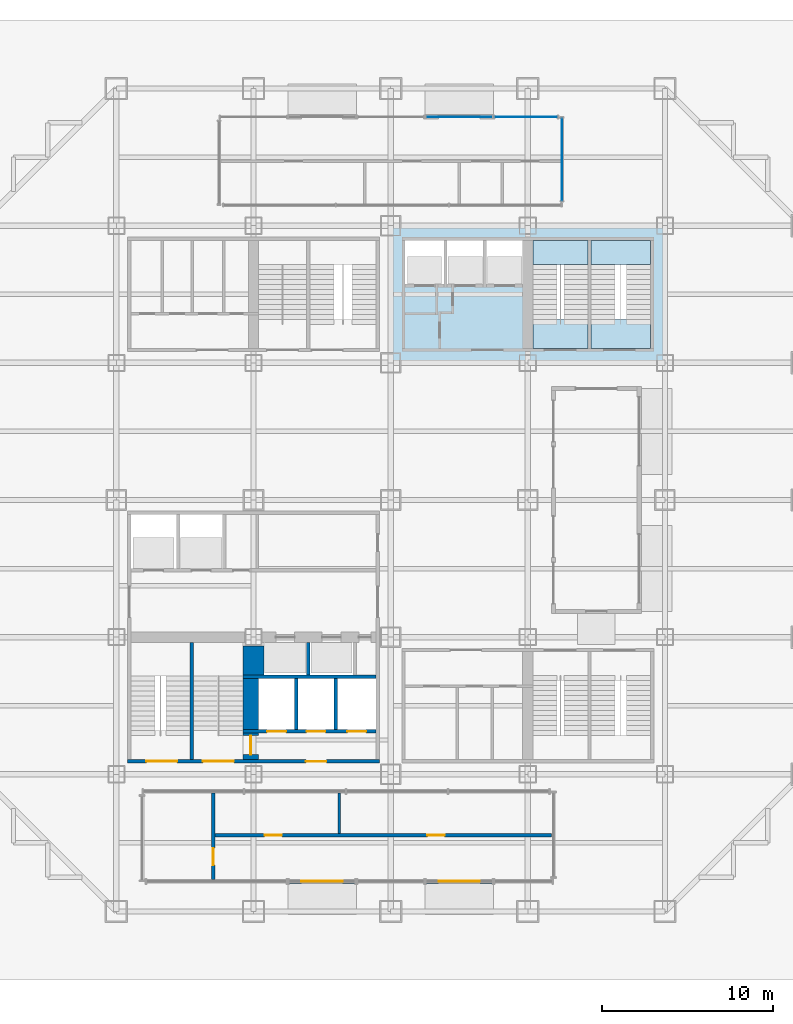
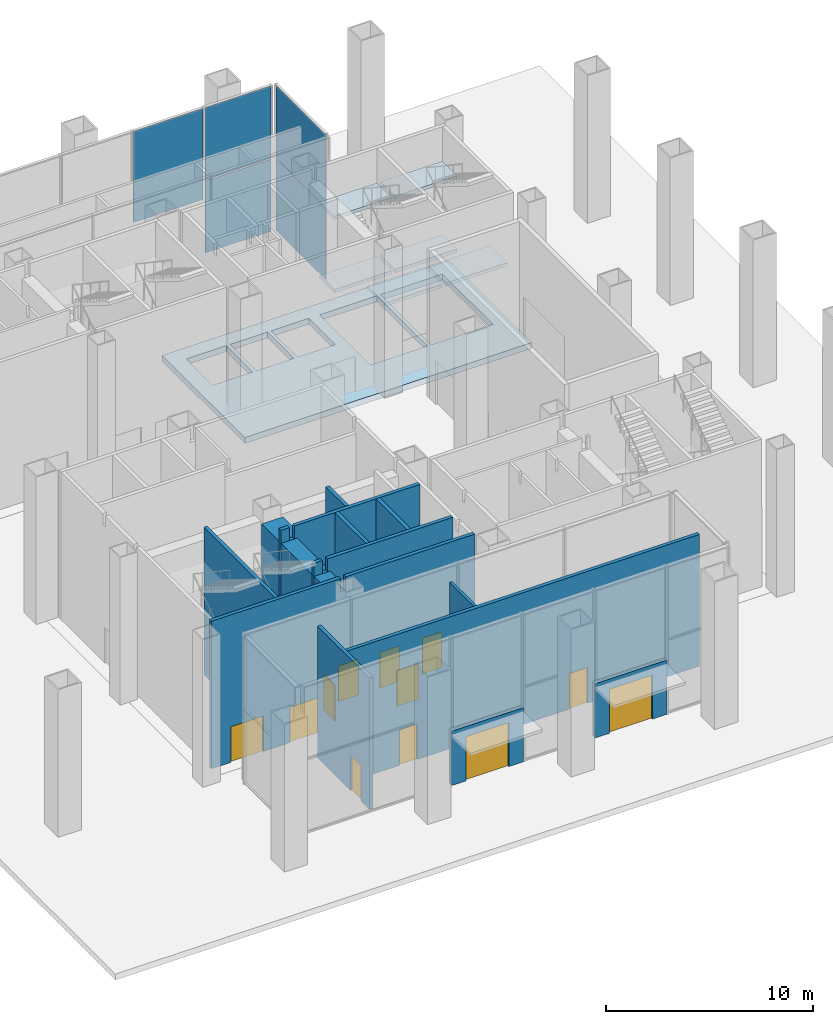
# One storey, part 7 of 14: 15 walls, 12 doors, 7 slabs, 5 plates, 12 openings, 5 elements without a shape of their own.
"""IFC4 building model written with IfcOpenShell, lengths in metres."""

from ifc_helpers import new_model, si_unit, direction, frame, frame_2d, origin, origin_2d, place, context, subcontext, project, spatial, polyline, rectangle, outline, extrude, material, layer, layer_set, type_object, element, fill, aggregate, save


model = new_model("IFC4")

# Units and contexts
model_context = context("Model", 3, precision=1e-05, world=origin(), true_north=direction((0.0, 1.0)))
body_context = subcontext(model_context, "Body", "Model", "MODEL_VIEW")
ifc_project = project(units=[si_unit("LENGTHUNIT", "METRE"), si_unit("AREAUNIT", "SQUARE_METRE"), si_unit("VOLUMEUNIT", "CUBIC_METRE"), si_unit("PLANEANGLEUNIT", "RADIAN"), si_unit("MASSUNIT", "GRAM", prefix="KILO")], contexts=[model_context])

# Site, building, storey
site_placement = place(None, origin())
site = spatial("IfcSite", under=ifc_project, at=site_placement, CompositionType="ELEMENT")
building_placement = place(site_placement, origin())
building = spatial("IfcBuilding", under=site, at=building_placement, Name="Immortelle Media Tower", CompositionType="ELEMENT")
storey_placement = place(building_placement, origin())
storey = spatial("IfcBuildingStorey", under=building, at=storey_placement, Name="G", CompositionType="ELEMENT", Elevation=0.0)

# Slab
ifc_material_1 = material(Name="Concrete C50/60", Category="concrete")
ifc_layer_1 = layer(ifc_material_1, 0.35009765625)
ifc_layer_set_1 = layer_set([ifc_layer_1], Name="Concrete C50/60")
slab_type_1 = type_object("IfcSlabType", Name="Core floor slab 350", PredefinedType="FLOOR", material=ifc_layer_set_1)
slab_1_placement = place(storey_placement, frame((0.0, 0.0, -0.35009765625)))
element("IfcSlab", 1, at=slab_1_placement, inside=storey, type_object=slab_type_1, Name="Core floor NE", PredefinedType="FLOOR", context=body_context, shape_type="SweptSolid", body=[
    extrude(outline(polyline([(24.0, 32.0), (40.0, 32.0), (40.0, 40.0), (24.0, 40.0), (24.0, 32.0)]), holes=[polyline([(24.85009765625, 36.60009765625), (27.10009765625, 36.60009765625), (27.10009765625, 39.14990234375), (24.85009765625, 39.14990234375), (24.85009765625, 36.60009765625)]), polyline([(27.300048828125, 36.60009765625), (29.39990234375, 36.60009765625), (29.39990234375, 39.14990234375), (27.300048828125, 39.14990234375), (27.300048828125, 36.60009765625)]), polyline([(29.60009765625, 36.60009765625), (31.699951171875, 36.60009765625), (31.699951171875, 39.14990234375), (29.60009765625, 39.14990234375), (29.60009765625, 36.60009765625)]), polyline([(32.300048828125, 34.27001953125), (35.5, 34.27001953125), (35.5, 39.14990234375), (32.300048828125, 39.14990234375), (32.300048828125, 34.27001953125)]), polyline([(35.699951171875, 34.27001953125), (39.14990234375, 34.27001953125), (39.14990234375, 39.14990234375), (35.699951171875, 39.14990234375), (35.699951171875, 34.27001953125)])]), origin(), (0.0, 0.0, 1.0), 0.35009765625),
])

# Curtain wall, plates
ifc_material_2 = material(Name="Aluminium curtain wall system", Category="aluminium")
curtain_wall_type = type_object("IfcCurtainWallType", Name="Shopfront glazing curtain wall", PredefinedType="NOTDEFINED", material=ifc_material_2)
curtain_wall_1_placement = place(storey_placement, origin())
curtain_wall_1 = element("IfcCurtainWall", 2, at=curtain_wall_1_placement, inside=storey, type_object=curtain_wall_type, Name="Shopfront G E 1", PredefinedType="NOTDEFINED")
ifc_material_3 = material(Name="Clear low-E double glazing", Category="glass")
ifc_layer_2 = layer(ifc_material_3, 0.031982421875)
ifc_layer_set_2 = layer_set([ifc_layer_2], Name="Clear low-E double glazing")
plate_type = type_object("IfcPlateType", Name="Low-E double glazed panel 32 mm", PredefinedType="CURTAIN_PANEL", material=ifc_layer_set_2)
plate_1_placement = place(storey_placement, frame((34.0, 43.875, 0.06982421875), z_axis=(0.0, 0.0, 1.0), x_axis=(0.0, 1.0, 0.0)))
plate_1 = element("IfcPlate", 3, at=plate_1_placement, type_object=plate_type, Name="CW2 panel 1.1", PredefinedType="CURTAIN_PANEL", context=body_context, shape_type="SweptSolid", body=[
    extrude(rectangle(XDim=4.81005859375, YDim=0.031982421875, at=origin_2d()), origin(), (0.0, 0.0, 1.0), 4.2451171875),
])
plate_2_placement = place(storey_placement, frame((34.0, 43.875, 4.385009765625), z_axis=(0.0, 0.0, 1.0), x_axis=(0.0, 1.0, 0.0)))
plate_2 = element("IfcPlate", 4, at=plate_2_placement, type_object=plate_type, Name="CW2 panel 1.2", PredefinedType="CURTAIN_PANEL", context=body_context, shape_type="SweptSolid", body=[
    extrude(rectangle(XDim=4.81005859375, YDim=0.031982421875, at=origin_2d()), origin(), (0.0, 0.0, 1.0), 4.2451171875),
])
aggregate(curtain_wall_1, [plate_1, plate_2])

curtain_wall_2_placement = place(storey_placement, origin())
curtain_wall_2 = element("IfcCurtainWall", 5, at=curtain_wall_2_placement, inside=storey, type_object=curtain_wall_type, Name="Shopfront G N 2-1", PredefinedType="NOTDEFINED")
plate_3_placement = place(storey_placement, frame((31.89990234375, 46.35009765625, 0.06982421875), z_axis=(0.0, 0.0, 1.0), x_axis=(-1.0, 0.0, 0.0)))
plate_3 = element("IfcPlate", 6, at=plate_3_placement, type_object=plate_type, Name="CW2 panel 1.1", PredefinedType="CURTAIN_PANEL", context=body_context, shape_type="SweptSolid", body=[
    extrude(rectangle(XDim=3.659912109375, YDim=0.031982421875, at=origin_2d()), origin(), (0.0, 0.0, 1.0), 4.2451171875),
])
plate_4_placement = place(storey_placement, frame((31.89990234375, 46.35009765625, 4.385009765625), z_axis=(0.0, 0.0, 1.0), x_axis=(-1.0, 0.0, 0.0)))
plate_4 = element("IfcPlate", 7, at=plate_4_placement, type_object=plate_type, Name="CW2 panel 1.2", PredefinedType="CURTAIN_PANEL", context=body_context, shape_type="SweptSolid", body=[
    extrude(rectangle(XDim=3.659912109375, YDim=0.031982421875, at=origin_2d()), origin(), (0.0, 0.0, 1.0), 4.2451171875),
])
aggregate(curtain_wall_2, [plate_3, plate_4])

# Curtain wall, plate
curtain_wall_3_placement = place(storey_placement, origin())
curtain_wall_3 = element("IfcCurtainWall", 8, at=curtain_wall_3_placement, inside=storey, type_object=curtain_wall_type, Name="Shopfront above doors G N 2-2", PredefinedType="NOTDEFINED")
plate_5_placement = place(storey_placement, frame((28.0, 46.35009765625, 3.27001953125), z_axis=(0.0, 0.0, 1.0), x_axis=(-1.0, 0.0, 0.0)))
plate_5 = element("IfcPlate", 9, at=plate_5_placement, type_object=plate_type, Name="CW2 panel 1.1", PredefinedType="CURTAIN_PANEL", context=body_context, shape_type="SweptSolid", body=[
    extrude(rectangle(XDim=3.860107421875, YDim=0.031982421875, at=origin_2d()), origin(), (0.0, 0.0, 1.0), 5.360107421875),
])
aggregate(curtain_wall_3, [plate_5])

# Stair, slabs
ifc_material_4 = material(Name="Steel ASTM A992 Gr 50", Category="steel")
stair_type = type_object("IfcStairType", Name="Stair with flights", PredefinedType="DOUBLE_RETURN_STAIR", material=ifc_material_4)
stair_1_placement = place(storey_placement, origin())
stair_1 = element("IfcStair", 10, at=stair_1_placement, inside=storey, type_object=stair_type, Name="Exit stair NE1", PredefinedType="DOUBLE_RETURN_STAIR")
ifc_material_5 = material(Name="Steel ASTM A572 Gr 50", Category="steel")
ifc_layer_3 = layer(ifc_material_5, 0.199951171875)
ifc_layer_set_3 = layer_set([ifc_layer_3], Name="Steel ASTM A572 Gr 50")
slab_type_2 = type_object("IfcSlabType", Name="Stair landing 200", PredefinedType="LANDING", material=ifc_layer_set_3)
slab_2_placement = place(storey_placement, frame((0.0, 0.0, 2.139892578125)))
slab_2 = element("IfcSlab", 11, at=slab_2_placement, type_object=slab_type_2, Name="ST NE1 landing 1", PredefinedType="LANDING", context=body_context, shape_type="SweptSolid", body=[
    extrude(outline(polyline([(32.300048828125, 37.72998046875), (35.5, 37.72998046875), (35.5, 39.14990234375), (32.300048828125, 39.14990234375), (32.300048828125, 37.72998046875)])), origin(), (0.0, 0.0, 1.0), 0.2001953125),
])
slab_3_placement = place(storey_placement, frame((0.0, 0.0, 4.300048828125)))
slab_3 = element("IfcSlab", 12, at=slab_3_placement, type_object=slab_type_2, Name="ST NE1 landing 2", PredefinedType="LANDING", context=body_context, shape_type="SweptSolid", body=[
    extrude(outline(polyline([(32.300048828125, 32.85009765625), (35.5, 32.85009765625), (35.5, 34.5400390625), (32.300048828125, 34.5400390625), (32.300048828125, 32.85009765625)])), origin(), (0.0, 0.0, 1.0), 0.199951171875),
])
slab_4_placement = place(storey_placement, frame((0.0, 0.0, 6.4599609375)))
slab_4 = element("IfcSlab", 13, at=slab_4_placement, type_object=slab_type_2, Name="ST NE1 landing 3", PredefinedType="LANDING", context=body_context, shape_type="SweptSolid", body=[
    extrude(outline(polyline([(32.300048828125, 37.72998046875), (35.5, 37.72998046875), (35.5, 39.14990234375), (32.300048828125, 39.14990234375), (32.300048828125, 37.72998046875)])), origin(), (0.0, 0.0, 1.0), 0.199951171875),
])
aggregate(stair_1, [slab_2, slab_3, slab_4])

stair_2_placement = place(storey_placement, origin())
stair_2 = element("IfcStair", 14, at=stair_2_placement, inside=storey, type_object=stair_type, Name="Exit stair NE2", PredefinedType="DOUBLE_RETURN_STAIR")
slab_5_placement = place(storey_placement, frame((0.0, 0.0, 2.139892578125)))
slab_5 = element("IfcSlab", 15, at=slab_5_placement, type_object=slab_type_2, Name="ST NE2 landing 1", PredefinedType="LANDING", context=body_context, shape_type="SweptSolid", body=[
    extrude(outline(polyline([(35.699951171875, 37.72998046875), (39.14990234375, 37.72998046875), (39.14990234375, 39.14990234375), (35.699951171875, 39.14990234375), (35.699951171875, 37.72998046875)])), origin(), (0.0, 0.0, 1.0), 0.2001953125),
])
slab_6_placement = place(storey_placement, frame((0.0, 0.0, 4.300048828125)))
slab_6 = element("IfcSlab", 16, at=slab_6_placement, type_object=slab_type_2, Name="ST NE2 landing 2", PredefinedType="LANDING", context=body_context, shape_type="SweptSolid", body=[
    extrude(outline(polyline([(35.699951171875, 32.85009765625), (39.14990234375, 32.85009765625), (39.14990234375, 34.5400390625), (35.699951171875, 34.5400390625), (35.699951171875, 32.85009765625)])), origin(), (0.0, 0.0, 1.0), 0.199951171875),
])
slab_7_placement = place(storey_placement, frame((0.0, 0.0, 6.4599609375)))
slab_7 = element("IfcSlab", 17, at=slab_7_placement, type_object=slab_type_2, Name="ST NE2 landing 3", PredefinedType="LANDING", context=body_context, shape_type="SweptSolid", body=[
    extrude(outline(polyline([(35.699951171875, 37.72998046875), (39.14990234375, 37.72998046875), (39.14990234375, 39.14990234375), (35.699951171875, 39.14990234375), (35.699951171875, 37.72998046875)])), origin(), (0.0, 0.0, 1.0), 0.199951171875),
])
aggregate(stair_2, [slab_5, slab_6, slab_7])

# Wall, openings, doors
ifc_material_6 = material(Name="Fire-rated gypsum board", Category="gypsum")
ifc_layer_4 = layer(ifc_material_6, 0.03759765625)
ifc_material_7 = material(Name="Steel ASTM A653 SS Gr 50 stud frame with mineral wool", Category="steel")
ifc_layer_5 = layer(ifc_material_7, 0.125)
ifc_layer_6 = layer(ifc_material_6, 0.03759765625)
ifc_layer_set_4 = layer_set([ifc_layer_4, ifc_layer_5, ifc_layer_6], Name="Steel ASTM A653 SS Gr 50 stud frame with mineral wool")
wall_type_1 = type_object("IfcWallType", Name="Core shaft wall 200", PredefinedType="PARTITIONING", material=ifc_layer_set_4)
wall_1_placement = place(storey_placement, frame((15.39990234375, 10.5, 0.0), z_axis=(0.0, 0.0, 1.0), x_axis=(1.0, 0.0, 0.0)))
wall_1 = element("IfcWall", 18, at=wall_1_placement, inside=storey, type_object=wall_type_1, Name="Core shaft wall SW", PredefinedType="PARTITIONING", context=body_context, shape_type="SweptSolid", body=[
    extrude(outline(polyline([(0.0, 0.0), (7.75, 0.0), (7.75, 8.699951171875), (0.738525390625, 8.699951171875), (0.737548828125, 7.931884765625), (0.46240234375, 7.931884765625), (0.46142578125, 8.699951171875), (0.0, 8.699951171875), (0.0, 0.0)])), frame((0.0, 0.10009765625, 0.0), z_axis=(0.0, -1.0, 0.0), x_axis=(1.0, 0.0, 0.0)), (0.0, 0.0, 1.0), 0.199951171875),
])
opening_1_placement = place(wall_1_placement, frame((1.39990234375, 0.0, 0.0)))
opening_1 = element("IfcOpeningElement", 19, at=opening_1_placement, cuts=wall_1, Name="Opening LD", PredefinedType="OPENING", context=body_context, shape_type="SweptSolid", body=[
    extrude(rectangle(XDim=1.10009765625, YDim=2.10009765625, at=frame_2d((0.550048828125, 1.050048828125))), frame((0.0, 0.10986328125, 0.0), z_axis=(0.0, -1.0, 0.0), x_axis=(1.0, 0.0, 0.0)), (0.0, 0.0, 1.0), 0.219970703125),
])
opening_2_placement = place(wall_1_placement, frame((3.699951171875, 0.0, 0.0)))
opening_2 = element("IfcOpeningElement", 20, at=opening_2_placement, cuts=wall_1, Name="Opening LD", PredefinedType="OPENING", context=body_context, shape_type="SweptSolid", body=[
    extrude(rectangle(XDim=1.10009765625, YDim=2.10009765625, at=frame_2d((0.550048828125, 1.050048828125))), frame((0.0, 0.10986328125, 0.0), z_axis=(0.0, -1.0, 0.0), x_axis=(1.0, 0.0, 0.0)), (0.0, 0.0, 1.0), 0.219970703125),
])
opening_3_placement = place(wall_1_placement, frame((6.074951171875, 0.0, 0.0)))
opening_3 = element("IfcOpeningElement", 21, at=opening_3_placement, cuts=wall_1, Name="Opening LD", PredefinedType="OPENING", context=body_context, shape_type="SweptSolid", body=[
    extrude(rectangle(XDim=1.10009765625, YDim=2.10009765625, at=frame_2d((0.550048828125, 1.050048828125))), frame((0.0, 0.10986328125, 0.0), z_axis=(0.0, -1.0, 0.0), x_axis=(1.0, 0.0, 0.0)), (0.0, 0.0, 1.0), 0.219970703125),
])
ifc_material_8 = material(Name="Stainless steel AISI 304", Category="steel")
door_type_1 = type_object("IfcDoorType", Name="Landing door 1100 x 2100", OperationType="SLIDING_TO_LEFT", PredefinedType="NOTDEFINED", material=ifc_material_8)
door_1_placement = place(opening_1_placement, origin())
door_1 = element("IfcDoor", 22, at=door_1_placement, inside=storey, type_object=door_type_1, Name="Landing door FF1 G", OperationType="SLIDING_TO_LEFT", OverallHeight=2.10009765625, OverallWidth=1.10009765625, PredefinedType="NOTDEFINED", context=body_context, shape_type="SweptSolid", body=[
    extrude(rectangle(XDim=1.10009765625, YDim=2.10009765625, at=frame_2d((0.550048828125, 1.050048828125))), frame((0.0, 0.02490234375, 0.0), z_axis=(0.0, -1.0, 0.0), x_axis=(1.0, 0.0, 0.0)), (0.0, 0.0, 1.0), 0.050048828125),
])
fill(opening_1, door_1)
door_2_placement = place(opening_2_placement, origin())
door_2 = element("IfcDoor", 23, at=door_2_placement, inside=storey, type_object=door_type_1, Name="Landing door FF2 G", OperationType="SLIDING_TO_LEFT", OverallHeight=2.10009765625, OverallWidth=1.10009765625, PredefinedType="NOTDEFINED", context=body_context, shape_type="SweptSolid", body=[
    extrude(rectangle(XDim=1.10009765625, YDim=2.10009765625, at=frame_2d((0.550048828125, 1.050048828125))), frame((0.0, 0.02490234375, 0.0), z_axis=(0.0, -1.0, 0.0), x_axis=(1.0, 0.0, 0.0)), (0.0, 0.0, 1.0), 0.050048828125),
])
fill(opening_2, door_2)
door_3_placement = place(opening_3_placement, origin())
door_3 = element("IfcDoor", 24, at=door_3_placement, inside=storey, type_object=door_type_1, Name="Landing door FF3 G", OperationType="SLIDING_TO_LEFT", OverallHeight=2.10009765625, OverallWidth=1.10009765625, PredefinedType="NOTDEFINED", context=body_context, shape_type="SweptSolid", body=[
    extrude(rectangle(XDim=1.10009765625, YDim=2.10009765625, at=frame_2d((0.550048828125, 1.050048828125))), frame((0.0, 0.02490234375, 0.0), z_axis=(0.0, -1.0, 0.0), x_axis=(1.0, 0.0, 0.0)), (0.0, 0.0, 1.0), 0.050048828125),
])
fill(opening_3, door_3)

# Walls
wall_2_placement = place(storey_placement, frame((15.39990234375, 13.699951171875, 0.0), z_axis=(0.0, 0.0, 1.0), x_axis=(1.0, 0.0, 0.0)))
element("IfcWall", 25, at=wall_2_placement, inside=storey, type_object=wall_type_1, Name="Core shaft wall SW", PredefinedType="PARTITIONING", context=body_context, shape_type="SweptSolid", body=[
    extrude(outline(polyline([(0.0, 0.0), (7.75, 0.0), (7.75, 8.699951171875), (0.738525390625, 8.699951171875), (0.737548828125, 7.931884765625), (0.46240234375, 7.931884765625), (0.46142578125, 8.699951171875), (0.0, 8.699951171875), (0.0, 0.0)])), frame((0.0, 0.10009765625, 0.0), z_axis=(0.0, -1.0, 0.0), x_axis=(1.0, 0.0, 0.0)), (0.0, 0.0, 1.0), 0.199951171875),
])
wall_3_placement = place(storey_placement, frame((18.5, 10.60009765625, 0.0), z_axis=(0.0, 0.0, 1.0), x_axis=(0.0, 1.0, 0.0)))
element("IfcWall", 26, at=wall_3_placement, inside=storey, type_object=wall_type_1, Name="Core shaft wall SW", PredefinedType="PARTITIONING", context=body_context, shape_type="SweptSolid", body=[
    extrude(rectangle(XDim=3.0, YDim=0.199951171875, at=frame_2d((1.5, 0.0))), origin(), (0.0, 0.0, 1.0), 8.699951171875),
])
wall_4_placement = place(storey_placement, frame((19.199951171875, 13.800048828125, 0.0), z_axis=(0.0, 0.0, 1.0), x_axis=(0.0, 1.0, 0.0)))
element("IfcWall", 27, at=wall_4_placement, inside=storey, type_object=wall_type_1, Name="Core shaft wall SW", PredefinedType="PARTITIONING", context=body_context, shape_type="SweptSolid", body=[
    extrude(rectangle(XDim=1.89990234375, YDim=0.199951171875, at=frame_2d((0.949951171875, 0.0))), origin(), (0.0, 0.0, 1.0), 8.699951171875),
])
wall_5_placement = place(storey_placement, frame((20.800048828125, 10.60009765625, 0.0), z_axis=(0.0, 0.0, 1.0), x_axis=(0.0, 1.0, 0.0)))
element("IfcWall", 28, at=wall_5_placement, inside=storey, type_object=wall_type_1, Name="Core shaft wall SW", PredefinedType="PARTITIONING", context=body_context, shape_type="SweptSolid", body=[
    extrude(rectangle(XDim=3.0, YDim=0.199951171875, at=frame_2d((1.5, 0.0))), origin(), (0.0, 0.0, 1.0), 8.699951171875),
])

# Wall, opening, door
ifc_layer_7 = layer(ifc_material_6, 0.03759765625)
ifc_layer_8 = layer(ifc_material_7, 0.125)
ifc_layer_9 = layer(ifc_material_6, 0.03759765625)
ifc_layer_set_5 = layer_set([ifc_layer_7, ifc_layer_8, ifc_layer_9], Name="Steel ASTM A653 SS Gr 50 stud frame with mineral wool")
wall_type_2 = type_object("IfcWallType", Name="Fire-resisting wall 200", PredefinedType="PARTITIONING", material=ifc_layer_set_5)
wall_6_placement = place(storey_placement, frame((13.64990234375, 1.85498046875, 0.0), z_axis=(0.0, 0.0, 1.0), x_axis=(0.0, 1.0, 0.0)))
wall_6 = element("IfcWall", 29, at=wall_6_placement, inside=storey, type_object=wall_type_2, Name="Fire-resisting wall G-1", PredefinedType="PARTITIONING", context=body_context, shape_type="SweptSolid", body=[
    extrude(rectangle(XDim=5.0400390625, YDim=0.199951171875, at=frame_2d((2.52001953125, 0.0))), origin(), (0.0, 0.0, 1.0), 7.77294921875),
])
opening_4_placement = place(wall_6_placement, frame((1.844970703125, 0.0, 0.0), z_axis=(0.0, 0.0, 1.0), x_axis=(-1.0, 0.0, 0.0)))
opening_4 = element("IfcOpeningElement", 30, at=opening_4_placement, cuts=wall_6, Name="Opening G-X01", PredefinedType="OPENING", context=body_context, shape_type="SweptSolid", body=[
    extrude(rectangle(XDim=1.0, YDim=2.10009765625, at=frame_2d((0.5, 1.050048828125))), frame((0.0, 0.10986328125, 0.0), z_axis=(0.0, -1.0, 0.0), x_axis=(1.0, 0.0, 0.0)), (0.0, 0.0, 1.0), 0.219970703125),
])
ifc_material_9 = material(Name="Galvanised steel door leaf and frame ASTM A653", Category="steel")
door_type_2 = type_object("IfcDoorType", Name="Fire door 1000 x 2100", OperationType="NOTDEFINED", PredefinedType="DOOR", material=ifc_material_9)
door_4_placement = place(opening_4_placement, origin())
door_4 = element("IfcDoor", 31, at=door_4_placement, inside=storey, type_object=door_type_2, Name="Door G-X01", OperationType="SINGLE_SWING_LEFT", OverallHeight=2.10009765625, OverallWidth=1.0, PredefinedType="DOOR", context=body_context, shape_type="SweptSolid", body=[
    extrude(rectangle(XDim=1.0, YDim=2.10009765625, at=frame_2d((0.5, 1.050048828125))), frame((0.0, 0.02490234375, 0.0), z_axis=(0.0, -1.0, 0.0), x_axis=(1.0, 0.0, 0.0)), (0.0, 0.0, 1.0), 0.050048828125),
])
fill(opening_4, door_4)

# Wall, openings, doors
wall_7_placement = place(storey_placement, frame((13.75, 4.449951171875, 0.0), z_axis=(0.0, 0.0, 1.0), x_axis=(1.0, 0.0, 0.0)))
wall_7 = element("IfcWall", 32, at=wall_7_placement, inside=storey, type_object=wall_type_2, Name="Fire-resisting wall G-2", PredefinedType="PARTITIONING", context=body_context, shape_type="SweptSolid", body=[
    extrude(rectangle(XDim=19.64501953125, YDim=0.199951171875, at=frame_2d((9.822509765625, 0.0))), origin(), (0.0, 0.0, 1.0), 7.77294921875),
])
opening_5_placement = place(wall_7_placement, frame((3.89990234375, 0.0, 0.0), z_axis=(0.0, 0.0, 1.0), x_axis=(-1.0, 0.0, 0.0)))
opening_5 = element("IfcOpeningElement", 33, at=opening_5_placement, cuts=wall_7, Name="Opening G-X02", PredefinedType="OPENING", context=body_context, shape_type="SweptSolid", body=[
    extrude(rectangle(XDim=1.0, YDim=2.10009765625, at=frame_2d((0.5, 1.050048828125))), frame((0.0, 0.10986328125, 0.0), z_axis=(0.0, -1.0, 0.0), x_axis=(1.0, 0.0, 0.0)), (0.0, 0.0, 1.0), 0.219970703125),
])
opening_6_placement = place(wall_7_placement, frame((13.39990234375, 0.0, 0.0), z_axis=(0.0, 0.0, 1.0), x_axis=(-1.0, 0.0, 0.0)))
opening_6 = element("IfcOpeningElement", 34, at=opening_6_placement, cuts=wall_7, Name="Opening G-X03", PredefinedType="OPENING", context=body_context, shape_type="SweptSolid", body=[
    extrude(rectangle(XDim=1.0, YDim=2.10009765625, at=frame_2d((0.5, 1.050048828125))), frame((0.0, 0.10986328125, 0.0), z_axis=(0.0, -1.0, 0.0), x_axis=(1.0, 0.0, 0.0)), (0.0, 0.0, 1.0), 0.219970703125),
])
door_5_placement = place(opening_5_placement, origin())
door_5 = element("IfcDoor", 35, at=door_5_placement, inside=storey, type_object=door_type_2, Name="Door G-X02", OperationType="SINGLE_SWING_RIGHT", OverallHeight=2.10009765625, OverallWidth=1.0, PredefinedType="DOOR", context=body_context, shape_type="SweptSolid", body=[
    extrude(rectangle(XDim=1.0, YDim=2.10009765625, at=frame_2d((0.5, 1.050048828125))), frame((0.0, 0.02490234375, 0.0), z_axis=(0.0, -1.0, 0.0), x_axis=(1.0, 0.0, 0.0)), (0.0, 0.0, 1.0), 0.050048828125),
])
fill(opening_5, door_5)
door_6_placement = place(opening_6_placement, origin())
door_6 = element("IfcDoor", 36, at=door_6_placement, inside=storey, type_object=door_type_2, Name="Door G-X03", OperationType="SINGLE_SWING_LEFT", OverallHeight=2.10009765625, OverallWidth=1.0, PredefinedType="DOOR", context=body_context, shape_type="SweptSolid", body=[
    extrude(rectangle(XDim=1.0, YDim=2.10009765625, at=frame_2d((0.5, 1.050048828125))), frame((0.0, 0.02490234375, 0.0), z_axis=(0.0, -1.0, 0.0), x_axis=(1.0, 0.0, 0.0)), (0.0, 0.0, 1.0), 0.050048828125),
])
fill(opening_6, door_6)

# Wall
ifc_material_10 = material(Name="Gypsum board", Category="gypsum")
ifc_layer_10 = layer(ifc_material_10, 0.012451171875)
ifc_layer_11 = layer(ifc_material_7, 0.125)
ifc_layer_12 = layer(ifc_material_10, 0.012451171875)
ifc_layer_set_6 = layer_set([ifc_layer_10, ifc_layer_11, ifc_layer_12], Name="Steel ASTM A653 SS Gr 50 stud frame with mineral wool")
wall_type_3 = type_object("IfcWallType", Name="Partition 150", PredefinedType="PARTITIONING", material=ifc_layer_set_6)
wall_8_placement = place(storey_placement, frame((21.0, 4.550048828125, 0.0), z_axis=(0.0, 0.0, 1.0), x_axis=(0.0, 1.0, 0.0)))
element("IfcWall", 37, at=wall_8_placement, inside=storey, type_object=wall_type_3, Name="Partition G-4", PredefinedType="PARTITIONING", context=body_context, shape_type="SweptSolid", body=[
    extrude(rectangle(XDim=2.344970703125, YDim=0.14990234375, at=frame_2d((1.17236328125, 0.0))), origin(), (0.0, 0.0, 1.0), 7.77294921875),
])

# Wall, opening, door
ifc_material_11 = material(Name="Pale aluminium cladding panel", Category="aluminium")
ifc_layer_13 = layer(ifc_material_11, 0.030029296875)
ifc_layer_14 = layer(ifc_material_7, 0.20751953125)
ifc_material_12 = material(Name="Moisture-resistant gypsum board", Category="gypsum")
ifc_layer_15 = layer(ifc_material_12, 0.012451171875)
ifc_layer_set_7 = layer_set([ifc_layer_13, ifc_layer_14, ifc_layer_15], Name="Steel ASTM A653 SS Gr 50 stud frame with mineral wool")
wall_type_4 = type_object("IfcWallType", Name="Pavilion portal wall 250", PredefinedType="STANDARD", material=ifc_layer_set_7)
wall_9_placement = place(storey_placement, frame((18.0, 1.75, 0.0), z_axis=(0.0, 0.0, 1.0), x_axis=(1.0, 0.0, 0.0)))
wall_9 = element("IfcWall", 38, at=wall_9_placement, inside=storey, type_object=wall_type_4, Name="Entrance portal wall G S 4-2", PredefinedType="STANDARD", context=body_context, shape_type="SweptSolid", body=[
    extrude(rectangle(XDim=4.0, YDim=0.25, at=frame_2d((2.0, 0.0))), origin(), (0.0, 0.0, 1.0), 3.199951171875),
])
opening_7_placement = place(wall_9_placement, frame((3.199951171875, 0.0, 0.0), z_axis=(0.0, 0.0, 1.0), x_axis=(-1.0, 0.0, 0.0)))
opening_7 = element("IfcOpeningElement", 39, at=opening_7_placement, cuts=wall_9, Name="Opening G-E01", PredefinedType="OPENING", context=body_context, shape_type="SweptSolid", body=[
    extrude(rectangle(XDim=2.39990234375, YDim=2.60009765625, at=frame_2d((1.199951171875, 1.300048828125))), frame((0.0, 0.135009765625, 0.0), z_axis=(0.0, -1.0, 0.0), x_axis=(1.0, 0.0, 0.0)), (0.0, 0.0, 1.0), 0.27001953125),
])
ifc_material_13 = material(Name="Aluminium frame, toughened glass", Category="aluminium")
door_type_3 = type_object("IfcDoorType", Name="Automatic sliding entrance door 2400", OperationType="DOUBLE_DOOR_SLIDING", PredefinedType="DOOR", material=ifc_material_13)
door_7_placement = place(opening_7_placement, origin())
door_7 = element("IfcDoor", 40, at=door_7_placement, inside=storey, type_object=door_type_3, Name="Entrance door G-E01", OperationType="DOUBLE_DOOR_SLIDING", OverallHeight=2.60009765625, OverallWidth=2.39990234375, PredefinedType="DOOR", context=body_context, shape_type="SweptSolid", body=[
    extrude(rectangle(XDim=2.39990234375, YDim=2.60009765625, at=frame_2d((1.199951171875, 1.300048828125))), frame((0.0, 0.02490234375, 0.0), z_axis=(0.0, -1.0, 0.0), x_axis=(1.0, 0.0, 0.0)), (0.0, 0.0, 1.0), 0.050048828125),
])
fill(opening_7, door_7)

wall_10_placement = place(storey_placement, frame((26.0, 1.75, 0.0), z_axis=(0.0, 0.0, 1.0), x_axis=(1.0, 0.0, 0.0)))
wall_10 = element("IfcWall", 41, at=wall_10_placement, inside=storey, type_object=wall_type_4, Name="Entrance portal wall G S 4-4", PredefinedType="STANDARD", context=body_context, shape_type="SweptSolid", body=[
    extrude(rectangle(XDim=4.0, YDim=0.25, at=frame_2d((2.0, 0.0))), origin(), (0.0, 0.0, 1.0), 3.199951171875),
])
opening_8_placement = place(wall_10_placement, frame((3.199951171875, 0.0, 0.0), z_axis=(0.0, 0.0, 1.0), x_axis=(-1.0, 0.0, 0.0)))
opening_8 = element("IfcOpeningElement", 42, at=opening_8_placement, cuts=wall_10, Name="Opening G-E02", PredefinedType="OPENING", context=body_context, shape_type="SweptSolid", body=[
    extrude(rectangle(XDim=2.39990234375, YDim=2.60009765625, at=frame_2d((1.199951171875, 1.300048828125))), frame((0.0, 0.135009765625, 0.0), z_axis=(0.0, -1.0, 0.0), x_axis=(1.0, 0.0, 0.0)), (0.0, 0.0, 1.0), 0.27001953125),
])
door_8_placement = place(opening_8_placement, origin())
door_8 = element("IfcDoor", 43, at=door_8_placement, inside=storey, type_object=door_type_3, Name="Entrance door G-E02", OperationType="DOUBLE_DOOR_SLIDING", OverallHeight=2.60009765625, OverallWidth=2.39990234375, PredefinedType="DOOR", context=body_context, shape_type="SweptSolid", body=[
    extrude(rectangle(XDim=2.39990234375, YDim=2.60009765625, at=frame_2d((1.199951171875, 1.300048828125))), frame((0.0, 0.02490234375, 0.0), z_axis=(0.0, -1.0, 0.0), x_axis=(1.0, 0.0, 0.0)), (0.0, 0.0, 1.0), 0.050048828125),
])
fill(opening_8, door_8)

# Wall
ifc_material_14 = material(Name="Concrete C60", Category="concrete")
ifc_layer_16 = layer(ifc_material_14, 1.199951171875)
ifc_layer_set_8 = layer_set([ifc_layer_16], Name="Concrete C60")
wall_type_5 = type_object("IfcWallType", Name="Stair shaft wall 1200", PredefinedType="PARTITIONING", material=ifc_layer_set_8)
wall_11_placement = place(storey_placement, frame((16.0, 13.800048828125, 0.0), z_axis=(0.0, 0.0, 1.0), x_axis=(0.0, 1.0, 0.0)))
element("IfcWall", 44, at=wall_11_placement, inside=storey, type_object=wall_type_5, Name="Stair shaft wall SW", PredefinedType="PARTITIONING", context=body_context, shape_type="SweptSolid", body=[
    extrude(rectangle(XDim=1.68994140625, YDim=1.199951171875, at=frame_2d((0.844970703125, 0.0))), origin(), (0.0, 0.0, 1.0), 7.931884765625),
])

# Wall, openings, doors
ifc_layer_17 = layer(ifc_material_14, 0.199951171875)
ifc_layer_set_9 = layer_set([ifc_layer_17], Name="Concrete C60")
wall_type_6 = type_object("IfcWallType", Name="Stair shaft wall 200", PredefinedType="PARTITIONING", material=ifc_layer_set_9)
wall_12_placement = place(storey_placement, frame((8.64990234375, 8.75, 0.0), z_axis=(0.0, 0.0, 1.0), x_axis=(1.0, 0.0, 0.0)))
wall_12 = element("IfcWall", 45, at=wall_12_placement, inside=storey, type_object=wall_type_6, Name="Stair shaft wall SW", PredefinedType="PARTITIONING", context=body_context, shape_type="SweptSolid", body=[
    extrude(outline(polyline([(0.0, 0.0), (14.7001953125, 0.0), (14.699951171875, 8.699951171875), (7.488525390625, 8.699951171875), (7.487548828125, 7.931884765625), (7.21240234375, 7.931884765625), (7.21142578125, 8.699951171875), (0.0, 8.699951171875), (0.0, 0.0)])), frame((0.0, 0.10009765625, 0.0), z_axis=(0.0, -1.0, 0.0), x_axis=(1.0, 0.0, 0.0)), (0.0, 0.0, 1.0), 0.199951171875),
])
opening_9_placement = place(wall_12_placement, frame((2.900146484375, 0.0, 0.0), z_axis=(0.0, 0.0, 1.0), x_axis=(-1.0, 0.0, 0.0)))
opening_9 = element("IfcOpeningElement", 46, at=opening_9_placement, cuts=wall_12, Name="Opening G-K003", PredefinedType="OPENING", context=body_context, shape_type="SweptSolid", body=[
    extrude(rectangle(XDim=1.800048828125, YDim=2.10009765625, at=frame_2d((0.89990234375, 1.050048828125))), frame((0.0, 0.10986328125, 0.0), z_axis=(0.0, -1.0, 0.0), x_axis=(1.0, 0.0, 0.0)), (0.0, 0.0, 1.0), 0.219970703125),
])
opening_10_placement = place(wall_12_placement, frame((6.199951171875, 0.0, 0.0), z_axis=(0.0, 0.0, 1.0), x_axis=(-1.0, 0.0, 0.0)))
opening_10 = element("IfcOpeningElement", 47, at=opening_10_placement, cuts=wall_12, Name="Opening G-K005", PredefinedType="OPENING", context=body_context, shape_type="SweptSolid", body=[
    extrude(rectangle(XDim=1.800048828125, YDim=2.10009765625, at=frame_2d((0.89990234375, 1.050048828125))), frame((0.0, 0.10986328125, 0.0), z_axis=(0.0, -1.0, 0.0), x_axis=(1.0, 0.0, 0.0)), (0.0, 0.0, 1.0), 0.219970703125),
])
opening_11_placement = place(wall_12_placement, frame((10.39990234375, 0.0, 0.0)))
opening_11 = element("IfcOpeningElement", 48, at=opening_11_placement, cuts=wall_12, Name="Opening G-K010", PredefinedType="OPENING", context=body_context, shape_type="SweptSolid", body=[
    extrude(rectangle(XDim=1.199951171875, YDim=2.10009765625, at=frame_2d((0.60009765625, 1.050048828125))), frame((0.0, 0.10986328125, 0.0), z_axis=(0.0, -1.0, 0.0), x_axis=(1.0, 0.0, 0.0)), (0.0, 0.0, 1.0), 0.219970703125),
])
door_type_4 = type_object("IfcDoorType", Name="Fire-fighting lobby door 1200 x 2100", OperationType="NOTDEFINED", PredefinedType="NOTDEFINED", material=ifc_material_9)
door_9_placement = place(opening_11_placement, origin())
door_9 = element("IfcDoor", 49, at=door_9_placement, inside=storey, type_object=door_type_4, Name="Fire-fighting lobby G-K010", OperationType="SINGLE_SWING_RIGHT", OverallHeight=2.10009765625, OverallWidth=1.199951171875, PredefinedType="NOTDEFINED", context=body_context, shape_type="SweptSolid", body=[
    extrude(rectangle(XDim=1.199951171875, YDim=2.10009765625, at=frame_2d((0.60009765625, 1.050048828125))), frame((0.0, 0.02490234375, 0.0), z_axis=(0.0, -1.0, 0.0), x_axis=(1.0, 0.0, 0.0)), (0.0, 0.0, 1.0), 0.050048828125),
])
fill(opening_11, door_9)
door_type_5 = type_object("IfcDoorType", Name="Stair exit door 1800 x 2100", OperationType="DOUBLE_DOOR_SINGLE_SWING", PredefinedType="NOTDEFINED", material=ifc_material_9)
door_10_placement = place(opening_9_placement, origin())
door_10 = element("IfcDoor", 50, at=door_10_placement, inside=storey, type_object=door_type_5, Name="Stair exit G-K003", OperationType="DOUBLE_DOOR_SINGLE_SWING", OverallHeight=2.10009765625, OverallWidth=1.800048828125, PredefinedType="NOTDEFINED", context=body_context, shape_type="SweptSolid", body=[
    extrude(rectangle(XDim=1.800048828125, YDim=2.10009765625, at=frame_2d((0.89990234375, 1.050048828125))), frame((0.0, 0.02490234375, 0.0), z_axis=(0.0, -1.0, 0.0), x_axis=(1.0, 0.0, 0.0)), (0.0, 0.0, 1.0), 0.050048828125),
])
fill(opening_9, door_10)
door_11_placement = place(opening_10_placement, origin())
door_11 = element("IfcDoor", 51, at=door_11_placement, inside=storey, type_object=door_type_5, Name="Stair exit G-K005", OperationType="DOUBLE_DOOR_SINGLE_SWING", OverallHeight=2.10009765625, OverallWidth=1.800048828125, PredefinedType="NOTDEFINED", context=body_context, shape_type="SweptSolid", body=[
    extrude(rectangle(XDim=1.800048828125, YDim=2.10009765625, at=frame_2d((0.89990234375, 1.050048828125))), frame((0.0, 0.02490234375, 0.0), z_axis=(0.0, -1.0, 0.0), x_axis=(1.0, 0.0, 0.0)), (0.0, 0.0, 1.0), 0.050048828125),
])
fill(opening_10, door_11)

# Wall
wall_13_placement = place(storey_placement, frame((12.39990234375, 8.85009765625, 0.0), z_axis=(0.0, 0.0, 1.0), x_axis=(0.0, 1.0, 0.0)))
element("IfcWall", 52, at=wall_13_placement, inside=storey, type_object=wall_type_6, Name="Stair shaft wall SW", PredefinedType="PARTITIONING", context=body_context, shape_type="SweptSolid", body=[
    extrude(rectangle(XDim=6.849853515625, YDim=0.199951171875, at=frame_2d((3.4248046875, 0.0))), origin(), (0.0, 0.0, 1.0), 8.699951171875),
])

# Wall, opening, door
ifc_layer_18 = layer(ifc_material_14, 0.89990234375)
ifc_layer_set_10 = layer_set([ifc_layer_18], Name="Concrete C60")
wall_type_7 = type_object("IfcWallType", Name="Stair shaft wall 900", PredefinedType="PARTITIONING", material=ifc_layer_set_10)
wall_14_placement = place(storey_placement, frame((15.85009765625, 8.85009765625, 0.0), z_axis=(0.0, 0.0, 1.0), x_axis=(0.0, 1.0, 0.0)))
wall_14 = element("IfcWall", 53, at=wall_14_placement, inside=storey, type_object=wall_type_7, Name="Stair shaft wall SW", PredefinedType="PARTITIONING", context=body_context, shape_type="SweptSolid", body=[
    extrude(rectangle(XDim=1.5498046875, YDim=0.89990234375, at=frame_2d((0.77490234375, 0.0))), origin(), (0.0, 0.0, 1.0), 7.931884765625),
])
opening_12_placement = place(wall_14_placement, frame((0.300048828125, 0.0, 0.0)))
opening_12 = element("IfcOpeningElement", 54, at=opening_12_placement, cuts=wall_14, Name="Opening G-K007", PredefinedType="OPENING", context=body_context, shape_type="SweptSolid", body=[
    extrude(rectangle(XDim=1.10009765625, YDim=2.10009765625, at=frame_2d((0.550048828125, 1.050048828125))), frame((0.0, 0.4599609375, 0.0), z_axis=(0.0, -1.0, 0.0), x_axis=(1.0, 0.0, 0.0)), (0.0, 0.0, 1.0), 0.919921875),
])
door_type_6 = type_object("IfcDoorType", Name="Stair lobby door 1100 x 2100", OperationType="NOTDEFINED", PredefinedType="NOTDEFINED", material=ifc_material_9)
door_12_placement = place(opening_12_placement, origin())
door_12 = element("IfcDoor", 55, at=door_12_placement, inside=storey, type_object=door_type_6, Name="Stair lobby G-K007", OperationType="SINGLE_SWING_LEFT", OverallHeight=2.10009765625, OverallWidth=1.10009765625, PredefinedType="NOTDEFINED", context=body_context, shape_type="SweptSolid", body=[
    extrude(rectangle(XDim=1.10009765625, YDim=2.10009765625, at=frame_2d((0.550048828125, 1.050048828125))), frame((0.0, 0.02490234375, 0.0), z_axis=(0.0, -1.0, 0.0), x_axis=(1.0, 0.0, 0.0)), (0.0, 0.0, 1.0), 0.050048828125),
])
fill(opening_12, door_12)

# Wall
wall_15_placement = place(storey_placement, frame((15.85009765625, 10.60009765625, 0.0), z_axis=(0.0, 0.0, 1.0), x_axis=(0.0, 1.0, 0.0)))
element("IfcWall", 56, at=wall_15_placement, inside=storey, type_object=wall_type_7, Name="Stair shaft wall SW", PredefinedType="PARTITIONING", context=body_context, shape_type="SweptSolid", body=[
    extrude(rectangle(XDim=3.0, YDim=0.89990234375, at=frame_2d((1.5, 0.0))), origin(), (0.0, 0.0, 1.0), 7.931884765625),
])

save(model, "model.ifc")
